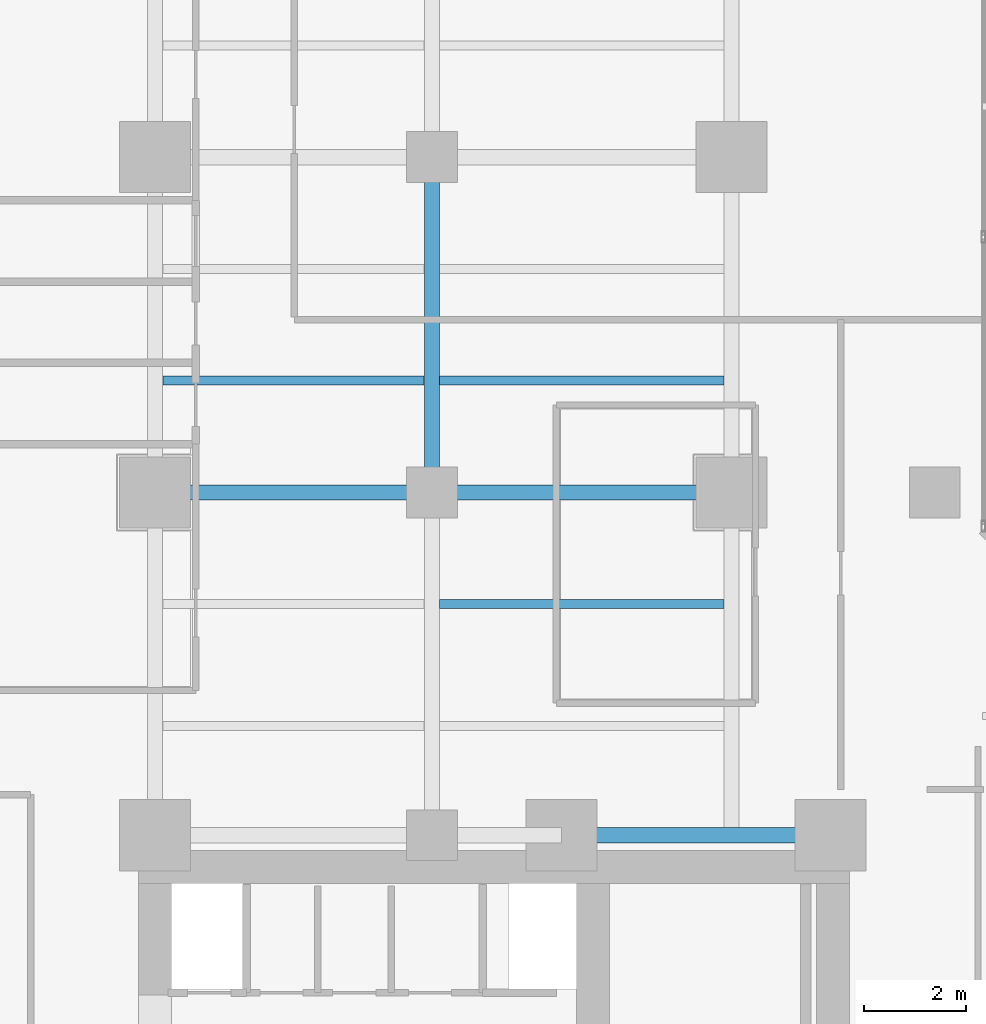
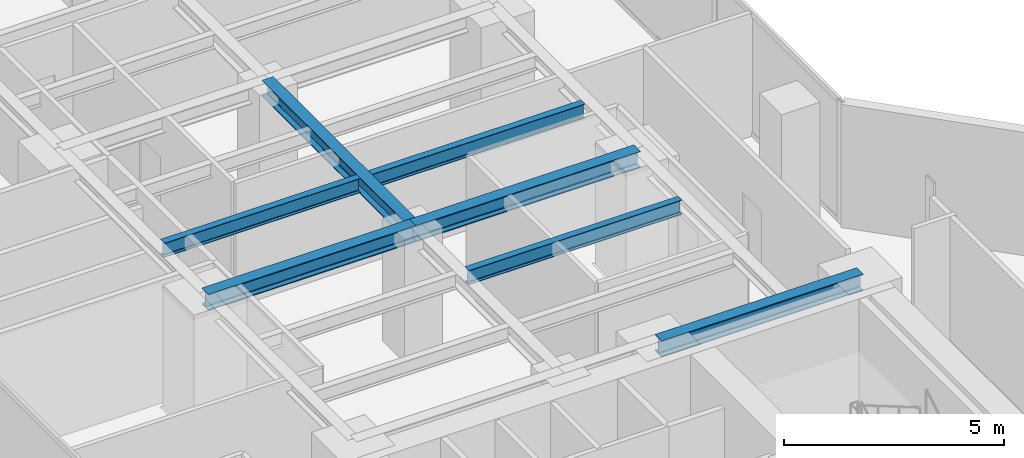
# One storey, part 8 of 25: 7 beams.
"""IFC4 building model written with IfcOpenShell, lengths in metres."""

from ifc_helpers import new_model, si_unit, direction, frame, origin, origin_2d, place, context, subcontext, project, spatial, i_section, extrude, material, material_profile, profile_set, type_object, element, save


model = new_model("IFC4")

# Units and contexts
model_context = context("Model", 3, precision=1e-05, world=origin(), true_north=direction((0.0, 1.0)))
body_context = subcontext(model_context, "Body", "Model", "MODEL_VIEW")
ifc_project = project(units=[si_unit("LENGTHUNIT", "METRE"), si_unit("AREAUNIT", "SQUARE_METRE"), si_unit("VOLUMEUNIT", "CUBIC_METRE"), si_unit("PLANEANGLEUNIT", "RADIAN"), si_unit("MASSUNIT", "GRAM", prefix="KILO")], contexts=[model_context])

# Site, building, storey
site_placement = place(None, origin())
site = spatial("IfcSite", under=ifc_project, at=site_placement, CompositionType="ELEMENT")
building_placement = place(site_placement, origin())
building = spatial("IfcBuilding", under=site, at=building_placement, Name="Kolvaren Waterfront Exchange", CompositionType="ELEMENT")
storey_placement = place(building_placement, frame((0.0, 0.0, 137.300048828125)))
storey = spatial("IfcBuildingStorey", under=building, at=storey_placement, Name="L35", CompositionType="ELEMENT", Elevation=137.300048828125)

# Beams
ifc_material = material(Name="Steel S355", Category="steel")
ifc_material_profile_1 = material_profile(ifc_material, i_section(OverallWidth=0.300048828125, OverallDepth=0.449951171875, WebThickness=0.013916015625, FlangeThickness=0.02587890625, FilletRadius=0.027099609375, at=origin_2d()), Name="HEB450")
ifc_profile_set_1 = profile_set([ifc_material_profile_1], Name="Steel S355")
beam_type_1 = type_object("IfcBeamType", Name="STR-BM-HEB450", PredefinedType="BEAM", material=ifc_profile_set_1)
beam_1_placement = place(storey_placement, frame((15.449951171875, 24.449951171875, 3.195068359375), z_axis=(1.0, 0.0, 0.0), x_axis=(0.0, 1.0, 0.0)))
element("IfcBeam", 1, at=beam_1_placement, inside=storey, type_object=beam_type_1, Name="L35 north-arm girder 1C", PredefinedType="BEAM", context=body_context, shape_type="SweptSolid", body=[
    extrude(i_section(OverallWidth=0.300048828125, OverallDepth=0.449951171875, WebThickness=0.013916015625, FlangeThickness=0.02587890625, FilletRadius=0.027099609375, at=origin_2d()), origin(), (0.0, 0.0, 1.0), 5.300048828125),
])
beam_2_placement = place(storey_placement, frame((7.449951171875, 31.199951171875, 3.195068359375), z_axis=(1.0, 0.0, 0.0), x_axis=(0.0, 1.0, 0.0)))
element("IfcBeam", 2, at=beam_2_placement, inside=storey, type_object=beam_type_1, Name="L35 north-arm girder 2A", PredefinedType="BEAM", context=body_context, shape_type="SweptSolid", body=[
    extrude(i_section(OverallWidth=0.300048828125, OverallDepth=0.449951171875, WebThickness=0.013916015625, FlangeThickness=0.02587890625, FilletRadius=0.027099609375, at=origin_2d()), origin(), (0.0, 0.0, 1.0), 5.449951171875),
])
beam_3_placement = place(storey_placement, frame((12.89990234375, 31.199951171875, 3.195068359375), z_axis=(1.0, 0.0, 0.0), x_axis=(0.0, 1.0, 0.0)))
element("IfcBeam", 3, at=beam_3_placement, inside=storey, type_object=beam_type_1, Name="L35 north-arm girder 2B", PredefinedType="BEAM", context=body_context, shape_type="SweptSolid", body=[
    extrude(i_section(OverallWidth=0.300048828125, OverallDepth=0.449951171875, WebThickness=0.013916015625, FlangeThickness=0.02587890625, FilletRadius=0.027099609375, at=origin_2d()), origin(), (0.0, 0.0, 1.0), 5.900146484375),
])
beam_4_placement = place(storey_placement, frame((12.89990234375, 31.199951171875, 3.195068359375), z_axis=(0.0, 1.0, 0.0), x_axis=(-1.0, 0.0, 0.0)))
element("IfcBeam", 4, at=beam_4_placement, inside=storey, type_object=beam_type_1, Name="L35 north-arm edge beam 2", PredefinedType="BEAM", context=body_context, shape_type="SweptSolid", body=[
    extrude(i_section(OverallWidth=0.300048828125, OverallDepth=0.449951171875, WebThickness=0.013916015625, FlangeThickness=0.02587890625, FilletRadius=0.027099609375, at=origin_2d()), origin(), (0.0, 0.0, 1.0), 6.60009765625),
])
ifc_material_profile_2 = material_profile(ifc_material, i_section(OverallWidth=0.179931640625, OverallDepth=0.39990234375, WebThickness=0.008544921875, FlangeThickness=0.013427734375, FilletRadius=0.02099609375, at=origin_2d()), Name="IPE400")
ifc_profile_set_2 = profile_set([ifc_material_profile_2], Name="Steel S355")
beam_type_2 = type_object("IfcBeamType", Name="STR-BM-IPE400", PredefinedType="JOIST", material=ifc_profile_set_2)
beam_5_placement = place(storey_placement, frame((13.052001953125, 29.0, 3.219970703125), z_axis=(1.0, 0.0, 0.0), x_axis=(0.0, 1.0, 0.0)))
element("IfcBeam", 5, at=beam_5_placement, inside=storey, type_object=beam_type_2, Name="L35 north-arm composite joist 2B", PredefinedType="JOIST", context=body_context, shape_type="SweptSolid", body=[
    extrude(i_section(OverallWidth=0.179931640625, OverallDepth=0.39990234375, WebThickness=0.008544921875, FlangeThickness=0.013427734375, FilletRadius=0.02099609375, at=origin_2d()), origin(), (0.0, 0.0, 1.0), 5.595947265625),
])
beam_6_placement = place(storey_placement, frame((7.60205078125, 33.39990234375, 3.219970703125), z_axis=(1.0, 0.0, 0.0), x_axis=(0.0, 1.0, 0.0)))
element("IfcBeam", 6, at=beam_6_placement, inside=storey, type_object=beam_type_2, Name="L35 north-arm composite joist 3A", PredefinedType="JOIST", context=body_context, shape_type="SweptSolid", body=[
    extrude(i_section(OverallWidth=0.179931640625, OverallDepth=0.39990234375, WebThickness=0.008544921875, FlangeThickness=0.013427734375, FilletRadius=0.02099609375, at=origin_2d()), origin(), (0.0, 0.0, 1.0), 5.14599609375),
])
beam_7_placement = place(storey_placement, frame((13.052001953125, 33.39990234375, 3.219970703125), z_axis=(1.0, 0.0, 0.0), x_axis=(0.0, 1.0, 0.0)))
element("IfcBeam", 7, at=beam_7_placement, inside=storey, type_object=beam_type_2, Name="L35 north-arm composite joist 3B", PredefinedType="JOIST", context=body_context, shape_type="SweptSolid", body=[
    extrude(i_section(OverallWidth=0.179931640625, OverallDepth=0.39990234375, WebThickness=0.008544921875, FlangeThickness=0.013427734375, FilletRadius=0.02099609375, at=origin_2d()), origin(), (0.0, 0.0, 1.0), 5.595947265625),
])

save(model, "model.ifc")
